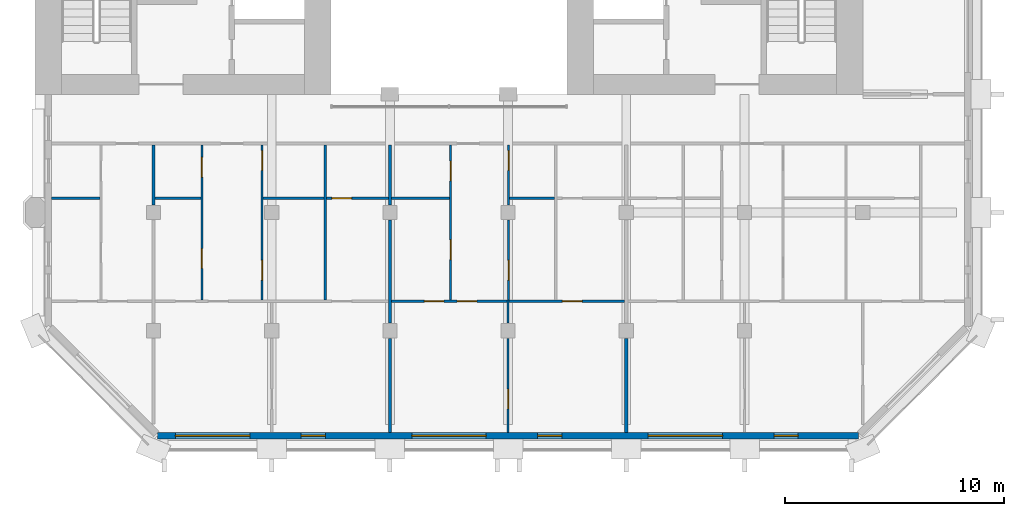
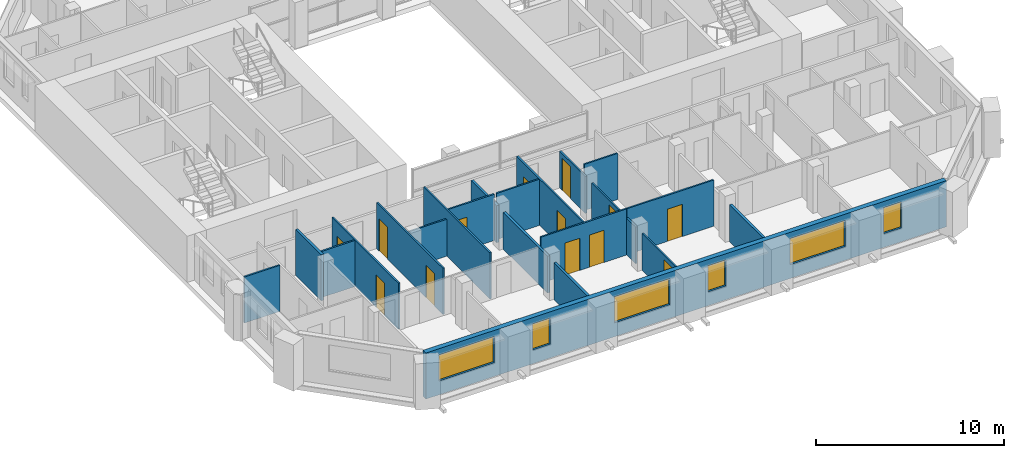
# One storey, part 6 of 13: 22 walls, 13 doors, 6 windows, 19 openings.
"""IFC4 building model written with IfcOpenShell, lengths in metres."""

from ifc_helpers import new_model, si_unit, direction, frame, frame_2d, origin, place, context, subcontext, project, spatial, rectangle, extrude, material, layer, layer_set, type_object, element, fill, save


model = new_model("IFC4")

# Units and contexts
model_context = context("Model", 3, precision=1e-05, world=origin(), true_north=direction((0.0, 1.0)))
body_context = subcontext(model_context, "Body", "Model", "MODEL_VIEW")
ifc_project = project(units=[si_unit("LENGTHUNIT", "METRE"), si_unit("AREAUNIT", "SQUARE_METRE"), si_unit("VOLUMEUNIT", "CUBIC_METRE"), si_unit("PLANEANGLEUNIT", "RADIAN"), si_unit("MASSUNIT", "GRAM", prefix="KILO")], contexts=[model_context])

# Site, building, storey
site_placement = place(None, origin())
site = spatial("IfcSite", under=ifc_project, at=site_placement, CompositionType="ELEMENT")
building_placement = place(site_placement, origin())
building = spatial("IfcBuilding", under=site, at=building_placement, Name="Tabaq Tower and Sports Hall", CompositionType="ELEMENT")
storey_placement = place(building_placement, frame((0.0, 0.0, 271.89990234375)))
storey = spatial("IfcBuildingStorey", under=building, at=storey_placement, Name="L66", CompositionType="ELEMENT", Elevation=271.89990234375)

# Walls
ifc_material_1 = material(Name="Gypsum board on steel studs", Category="steel")
ifc_layer_1 = layer(ifc_material_1, 0.10009765625)
ifc_layer_set_1 = layer_set([ifc_layer_1], Name="Partition 100 Gypsum board")
wall_type_1 = type_object("IfcWallType", Name="Partition 100 Gypsum board", PredefinedType="PARTITIONING", material=ifc_layer_set_1)
wall_1_placement = place(storey_placement, frame((8.35009765625, 11.449951171875, 0.0), z_axis=(0.0, 0.0, 1.0), x_axis=(-1.0, 0.0, 0.0)))
element("IfcWall", 1, at=wall_1_placement, inside=storey, type_object=wall_type_1, Name="Partition wall L66", PredefinedType="PARTITIONING", context=body_context, shape_type="SweptSolid", body=[
    extrude(rectangle(XDim=2.19921875, YDim=0.10009765625, at=frame_2d((1.099609375, 0.0))), origin(), (0.0, 0.0, 1.0), 3.0),
])
wall_2_placement = place(storey_placement, frame((12.9619140625, 11.449951171875, 0.0), z_axis=(0.0, 0.0, 1.0), x_axis=(-1.0, 0.0, 0.0)))
element("IfcWall", 2, at=wall_2_placement, inside=storey, type_object=wall_type_1, Name="Partition wall L66", PredefinedType="PARTITIONING", context=body_context, shape_type="SweptSolid", body=[
    extrude(rectangle(XDim=2.0869140625, YDim=0.10009765625, at=frame_2d((1.04345703125, 0.0))), origin(), (0.0, 0.0, 1.0), 3.0),
])

# Wall, openings, doors
wall_3_placement = place(storey_placement, frame((13.011962890625, 6.800048828125, 0.0), z_axis=(0.0, 0.0, 1.0), x_axis=(0.0, 1.0, 0.0)))
wall_3 = element("IfcWall", 3, at=wall_3_placement, inside=storey, type_object=wall_type_1, Name="Partition wall L66", PredefinedType="PARTITIONING", context=body_context, shape_type="SweptSolid", body=[
    extrude(rectangle(XDim=7.074951171875, YDim=0.10009765625, at=frame_2d((3.53759765625, 0.0))), origin(), (0.0, 0.0, 1.0), 3.0),
])
opening_1_placement = place(wall_3_placement, frame((5.616943359375, 0.0, 0.0)))
opening_1 = element("IfcOpeningElement", 4, at=opening_1_placement, cuts=wall_3, Name="Opening L66-015", PredefinedType="OPENING", context=body_context, shape_type="SweptSolid", body=[
    extrude(rectangle(XDim=0.89990234375, YDim=2.10009765625, at=frame_2d((0.449951171875, 1.050048828125))), frame((0.0, 0.050048828125, 0.0), z_axis=(0.0, -1.0, 0.0), x_axis=(1.0, 0.0, 0.0)), (0.0, 0.0, 1.0), 0.10009765625),
])
opening_2_placement = place(wall_3_placement, frame((1.449951171875, 0.0, 0.0)))
opening_2 = element("IfcOpeningElement", 5, at=opening_2_placement, cuts=wall_3, Name="Opening L66-042", PredefinedType="OPENING", context=body_context, shape_type="SweptSolid", body=[
    extrude(rectangle(XDim=0.89990234375, YDim=2.10009765625, at=frame_2d((0.449951171875, 1.050048828125))), frame((0.0, 0.050048828125, 0.0), z_axis=(0.0, -1.0, 0.0), x_axis=(1.0, 0.0, 0.0)), (0.0, 0.0, 1.0), 0.10009765625),
])
ifc_material_2 = material(Name="Timber leaf in steel frame", Category="steel")
door_type_1 = type_object("IfcDoorType", Name="Internal door 900 left hand", OperationType="SINGLE_SWING_LEFT", PredefinedType="DOOR", material=ifc_material_2)
door_1_placement = place(opening_1_placement, origin())
door_1 = element("IfcDoor", 6, at=door_1_placement, inside=storey, type_object=door_type_1, Name="Internal door L66-015", OperationType="SINGLE_SWING_LEFT", OverallHeight=2.10009765625, OverallWidth=0.89990234375, PredefinedType="DOOR", context=body_context, shape_type="SweptSolid", body=[
    extrude(rectangle(XDim=0.89990234375, YDim=2.10009765625, at=frame_2d((0.449951171875, 1.050048828125))), frame((0.0, 0.02490234375, 0.0), z_axis=(0.0, -1.0, 0.0), x_axis=(1.0, 0.0, 0.0)), (0.0, 0.0, 1.0), 0.050048828125),
])
fill(opening_1, door_1)
ifc_material_3 = material(Name="Timber leaf in steel frame", Category="steel")
door_type_2 = type_object("IfcDoorType", Name="Internal door 900 right hand", OperationType="SINGLE_SWING_RIGHT", PredefinedType="DOOR", material=ifc_material_3)
door_2_placement = place(opening_2_placement, origin())
door_2 = element("IfcDoor", 7, at=door_2_placement, inside=storey, type_object=door_type_2, Name="Internal door L66-042", OperationType="SINGLE_SWING_RIGHT", OverallHeight=2.10009765625, OverallWidth=0.89990234375, PredefinedType="DOOR", context=body_context, shape_type="SweptSolid", body=[
    extrude(rectangle(XDim=0.89990234375, YDim=2.10009765625, at=frame_2d((0.449951171875, 1.050048828125))), frame((0.0, 0.02490234375, 0.0), z_axis=(0.0, -1.0, 0.0), x_axis=(1.0, 0.0, 0.0)), (0.0, 0.0, 1.0), 0.050048828125),
])
fill(opening_2, door_2)

wall_4_placement = place(storey_placement, frame((15.761962890625, 6.800048828125, 0.0), z_axis=(0.0, 0.0, 1.0), x_axis=(0.0, 1.0, 0.0)))
wall_4 = element("IfcWall", 8, at=wall_4_placement, inside=storey, type_object=wall_type_1, Name="Partition wall L66", PredefinedType="PARTITIONING", context=body_context, shape_type="SweptSolid", body=[
    extrude(rectangle(XDim=7.074951171875, YDim=0.10009765625, at=frame_2d((3.53759765625, 0.0))), origin(), (0.0, 0.0, 1.0), 3.0),
])
opening_3_placement = place(wall_4_placement, frame((0.9169921875, 0.0, 0.0)))
opening_3 = element("IfcOpeningElement", 9, at=opening_3_placement, cuts=wall_4, Name="Opening L66-016", PredefinedType="OPENING", context=body_context, shape_type="SweptSolid", body=[
    extrude(rectangle(XDim=0.89990234375, YDim=2.10009765625, at=frame_2d((0.449951171875, 1.050048828125))), frame((0.0, 0.050048828125, 0.0), z_axis=(0.0, -1.0, 0.0), x_axis=(1.0, 0.0, 0.0)), (0.0, 0.0, 1.0), 0.10009765625),
])
opening_4_placement = place(wall_4_placement, frame((5.925048828125, 0.0, 0.0)))
opening_4 = element("IfcOpeningElement", 10, at=opening_4_placement, cuts=wall_4, Name="Opening L66-017", PredefinedType="OPENING", context=body_context, shape_type="SweptSolid", body=[
    extrude(rectangle(XDim=0.89990234375, YDim=2.10009765625, at=frame_2d((0.449951171875, 1.050048828125))), frame((0.0, 0.050048828125, 0.0), z_axis=(0.0, -1.0, 0.0), x_axis=(1.0, 0.0, 0.0)), (0.0, 0.0, 1.0), 0.10009765625),
])
door_3_placement = place(opening_3_placement, origin())
door_3 = element("IfcDoor", 11, at=door_3_placement, inside=storey, type_object=door_type_2, Name="Internal door L66-016", OperationType="SINGLE_SWING_RIGHT", OverallHeight=2.10009765625, OverallWidth=0.89990234375, PredefinedType="DOOR", context=body_context, shape_type="SweptSolid", body=[
    extrude(rectangle(XDim=0.89990234375, YDim=2.10009765625, at=frame_2d((0.449951171875, 1.050048828125))), frame((0.0, 0.02490234375, 0.0), z_axis=(0.0, -1.0, 0.0), x_axis=(1.0, 0.0, 0.0)), (0.0, 0.0, 1.0), 0.050048828125),
])
fill(opening_3, door_3)
door_4_placement = place(opening_4_placement, origin())
door_4 = element("IfcDoor", 12, at=door_4_placement, inside=storey, type_object=door_type_2, Name="Internal door L66-017", OperationType="SINGLE_SWING_RIGHT", OverallHeight=2.10009765625, OverallWidth=0.89990234375, PredefinedType="DOOR", context=body_context, shape_type="SweptSolid", body=[
    extrude(rectangle(XDim=0.89990234375, YDim=2.10009765625, at=frame_2d((0.449951171875, 1.050048828125))), frame((0.0, 0.02490234375, 0.0), z_axis=(0.0, -1.0, 0.0), x_axis=(1.0, 0.0, 0.0)), (0.0, 0.0, 1.0), 0.050048828125),
])
fill(opening_4, door_4)

# Walls
wall_5_placement = place(storey_placement, frame((18.60009765625, 11.449951171875, 0.0), z_axis=(0.0, 0.0, 1.0), x_axis=(-1.0, 0.0, 0.0)))
element("IfcWall", 13, at=wall_5_placement, inside=storey, type_object=wall_type_1, Name="Partition wall L66", PredefinedType="PARTITIONING", context=body_context, shape_type="SweptSolid", body=[
    extrude(rectangle(XDim=2.7880859375, YDim=0.10009765625, at=frame_2d((1.39404296875, 0.0))), origin(), (0.0, 0.0, 1.0), 2.400146484375),
])
wall_6_placement = place(storey_placement, frame((18.64990234375, 6.800048828125, 0.0), z_axis=(0.0, 0.0, 1.0), x_axis=(0.0, 1.0, 0.0)))
element("IfcWall", 14, at=wall_6_placement, inside=storey, type_object=wall_type_1, Name="Partition wall L66", PredefinedType="PARTITIONING", context=body_context, shape_type="SweptSolid", body=[
    extrude(rectangle(XDim=7.074951171875, YDim=0.10009765625, at=frame_2d((3.53759765625, 0.0))), origin(), (0.0, 0.0, 1.0), 3.0),
])

# Wall, opening, door
wall_7_placement = place(storey_placement, frame((21.52490234375, 11.449951171875, 0.0), z_axis=(0.0, 0.0, 1.0), x_axis=(-1.0, 0.0, 0.0)))
wall_7 = element("IfcWall", 15, at=wall_7_placement, inside=storey, type_object=wall_type_1, Name="Partition wall L66", PredefinedType="PARTITIONING", context=body_context, shape_type="SweptSolid", body=[
    extrude(rectangle(XDim=2.824951171875, YDim=0.10009765625, at=frame_2d((1.41259765625, 0.0))), origin(), (0.0, 0.0, 1.0), 3.0),
])
opening_5_placement = place(wall_7_placement, frame((1.675048828125, 0.0, 0.0)))
opening_5 = element("IfcOpeningElement", 16, at=opening_5_placement, cuts=wall_7, Name="Opening L66-018", PredefinedType="OPENING", context=body_context, shape_type="SweptSolid", body=[
    extrude(rectangle(XDim=0.89990234375, YDim=2.10009765625, at=frame_2d((0.449951171875, 1.050048828125))), frame((0.0, 0.050048828125, 0.0), z_axis=(0.0, -1.0, 0.0), x_axis=(1.0, 0.0, 0.0)), (0.0, 0.0, 1.0), 0.10009765625),
])
door_5_placement = place(opening_5_placement, origin())
door_5 = element("IfcDoor", 17, at=door_5_placement, inside=storey, type_object=door_type_2, Name="Internal door L66-018", OperationType="SINGLE_SWING_RIGHT", OverallHeight=2.10009765625, OverallWidth=0.89990234375, PredefinedType="DOOR", context=body_context, shape_type="SweptSolid", body=[
    extrude(rectangle(XDim=0.89990234375, YDim=2.10009765625, at=frame_2d((0.449951171875, 1.050048828125))), frame((0.0, 0.02490234375, 0.0), z_axis=(0.0, -1.0, 0.0), x_axis=(1.0, 0.0, 0.0)), (0.0, 0.0, 1.0), 0.050048828125),
])
fill(opening_5, door_5)

wall_8_placement = place(storey_placement, frame((27.0, 0.7509765625, 0.0), z_axis=(0.0, 0.0, 1.0), x_axis=(0.0, 1.0, 0.0)))
wall_8 = element("IfcWall", 18, at=wall_8_placement, inside=storey, type_object=wall_type_1, Name="Partition wall L66", PredefinedType="PARTITIONING", context=body_context, shape_type="SweptSolid", body=[
    extrude(rectangle(XDim=4.303955078125, YDim=0.10009765625, at=frame_2d((2.15185546875, 0.0))), origin(), (0.0, 0.0, 1.0), 2.400146484375),
])
opening_6_placement = place(wall_8_placement, frame((1.080078125, 0.0, 0.0)))
opening_6 = element("IfcOpeningElement", 19, at=opening_6_placement, cuts=wall_8, Name="Opening L66-043", PredefinedType="OPENING", context=body_context, shape_type="SweptSolid", body=[
    extrude(rectangle(XDim=0.89990234375, YDim=2.10009765625, at=frame_2d((0.449951171875, 1.050048828125))), frame((0.0, 0.050048828125, 0.0), z_axis=(0.0, -1.0, 0.0), x_axis=(1.0, 0.0, 0.0)), (0.0, 0.0, 1.0), 0.10009765625),
])
door_6_placement = place(opening_6_placement, origin())
door_6 = element("IfcDoor", 20, at=door_6_placement, inside=storey, type_object=door_type_2, Name="Internal door L66-043", OperationType="SINGLE_SWING_RIGHT", OverallHeight=2.10009765625, OverallWidth=0.89990234375, PredefinedType="DOOR", context=body_context, shape_type="SweptSolid", body=[
    extrude(rectangle(XDim=0.89990234375, YDim=2.10009765625, at=frame_2d((0.449951171875, 1.050048828125))), frame((0.0, 0.02490234375, 0.0), z_axis=(0.0, -1.0, 0.0), x_axis=(1.0, 0.0, 0.0)), (0.0, 0.0, 1.0), 0.050048828125),
])
fill(opening_6, door_6)

# Wall
wall_9_placement = place(storey_placement, frame((27.0, 5.7451171875, 0.0), z_axis=(0.0, 0.0, 1.0), x_axis=(0.0, 1.0, 0.0)))
element("IfcWall", 21, at=wall_9_placement, inside=storey, type_object=wall_type_1, Name="Partition wall L66", PredefinedType="PARTITIONING", context=body_context, shape_type="SweptSolid", body=[
    extrude(rectangle(XDim=1.054931640625, YDim=0.10009765625, at=frame_2d((0.52734375, 0.0))), origin(), (0.0, 0.0, 1.0), 2.400146484375),
])

# Wall, openings, doors
wall_10_placement = place(storey_placement, frame((26.949951171875, 6.75, 0.0), z_axis=(0.0, 0.0, 1.0), x_axis=(-1.0, 0.0, 0.0)))
wall_10 = element("IfcWall", 22, at=wall_10_placement, inside=storey, type_object=wall_type_1, Name="Partition wall L66", PredefinedType="PARTITIONING", context=body_context, shape_type="SweptSolid", body=[
    extrude(rectangle(XDim=5.27490234375, YDim=0.10009765625, at=frame_2d((2.637451171875, 0.0))), origin(), (0.0, 0.0, 1.0), 3.0),
])
opening_7_placement = place(wall_10_placement, frame((2.8798828125, 0.0, 0.0)))
opening_7 = element("IfcOpeningElement", 23, at=opening_7_placement, cuts=wall_10, Name="Opening L66-044", PredefinedType="OPENING", context=body_context, shape_type="SweptSolid", body=[
    extrude(rectangle(XDim=0.89990234375, YDim=2.10009765625, at=frame_2d((0.449951171875, 1.050048828125))), frame((0.0, 0.050048828125, 0.0), z_axis=(0.0, -1.0, 0.0), x_axis=(1.0, 0.0, 0.0)), (0.0, 0.0, 1.0), 0.10009765625),
])
opening_8_placement = place(wall_10_placement, frame((1.3798828125, 0.0, 0.0)))
opening_8 = element("IfcOpeningElement", 24, at=opening_8_placement, cuts=wall_10, Name="Opening L66-056", PredefinedType="OPENING", context=body_context, shape_type="SweptSolid", body=[
    extrude(rectangle(XDim=0.89990234375, YDim=2.10009765625, at=frame_2d((0.449951171875, 1.050048828125))), frame((0.0, 0.050048828125, 0.0), z_axis=(0.0, -1.0, 0.0), x_axis=(1.0, 0.0, 0.0)), (0.0, 0.0, 1.0), 0.10009765625),
])
door_7_placement = place(opening_8_placement, origin())
door_7 = element("IfcDoor", 25, at=door_7_placement, inside=storey, type_object=door_type_1, Name="Internal door L66-056", OperationType="SINGLE_SWING_LEFT", OverallHeight=2.10009765625, OverallWidth=0.89990234375, PredefinedType="DOOR", context=body_context, shape_type="SweptSolid", body=[
    extrude(rectangle(XDim=0.89990234375, YDim=2.10009765625, at=frame_2d((0.449951171875, 1.050048828125))), frame((0.0, 0.02490234375, 0.0), z_axis=(0.0, -1.0, 0.0), x_axis=(1.0, 0.0, 0.0)), (0.0, 0.0, 1.0), 0.050048828125),
])
fill(opening_8, door_7)
door_8_placement = place(opening_7_placement, origin())
door_8 = element("IfcDoor", 26, at=door_8_placement, inside=storey, type_object=door_type_2, Name="Internal door L66-044", OperationType="SINGLE_SWING_RIGHT", OverallHeight=2.10009765625, OverallWidth=0.89990234375, PredefinedType="DOOR", context=body_context, shape_type="SweptSolid", body=[
    extrude(rectangle(XDim=0.89990234375, YDim=2.10009765625, at=frame_2d((0.449951171875, 1.050048828125))), frame((0.0, 0.02490234375, 0.0), z_axis=(0.0, -1.0, 0.0), x_axis=(1.0, 0.0, 0.0)), (0.0, 0.0, 1.0), 0.050048828125),
])
fill(opening_7, door_8)

# Wall, opening, door
wall_11_placement = place(storey_placement, frame((32.324951171875, 6.75, 0.0), z_axis=(0.0, 0.0, 1.0), x_axis=(-1.0, 0.0, 0.0)))
wall_11 = element("IfcWall", 27, at=wall_11_placement, inside=storey, type_object=wall_type_1, Name="Partition wall L66", PredefinedType="PARTITIONING", context=body_context, shape_type="SweptSolid", body=[
    extrude(rectangle(XDim=5.35498046875, YDim=0.10009765625, at=frame_2d((2.677490234375, 0.0))), origin(), (0.0, 0.0, 1.0), 3.0),
])
opening_9_placement = place(wall_11_placement, frame((1.948974609375, 0.0, 0.0)))
opening_9 = element("IfcOpeningElement", 28, at=opening_9_placement, cuts=wall_11, Name="Opening L66-045", PredefinedType="OPENING", context=body_context, shape_type="SweptSolid", body=[
    extrude(rectangle(XDim=0.89990234375, YDim=2.10009765625, at=frame_2d((0.449951171875, 1.050048828125))), frame((0.0, 0.050048828125, 0.0), z_axis=(0.0, -1.0, 0.0), x_axis=(1.0, 0.0, 0.0)), (0.0, 0.0, 1.0), 0.10009765625),
])
door_9_placement = place(opening_9_placement, origin())
door_9 = element("IfcDoor", 29, at=door_9_placement, inside=storey, type_object=door_type_1, Name="Internal door L66-045", OperationType="SINGLE_SWING_LEFT", OverallHeight=2.10009765625, OverallWidth=0.89990234375, PredefinedType="DOOR", context=body_context, shape_type="SweptSolid", body=[
    extrude(rectangle(XDim=0.89990234375, YDim=2.10009765625, at=frame_2d((0.449951171875, 1.050048828125))), frame((0.0, 0.02490234375, 0.0), z_axis=(0.0, -1.0, 0.0), x_axis=(1.0, 0.0, 0.0)), (0.0, 0.0, 1.0), 0.050048828125),
])
fill(opening_9, door_9)

# Wall
wall_12_placement = place(storey_placement, frame((24.320068359375, 11.449951171875, 0.0), z_axis=(0.0, 0.0, 1.0), x_axis=(-1.0, 0.0, 0.0)))
element("IfcWall", 30, at=wall_12_placement, inside=storey, type_object=wall_type_1, Name="Partition wall L66", PredefinedType="PARTITIONING", context=body_context, shape_type="SweptSolid", body=[
    extrude(rectangle(XDim=2.64501953125, YDim=0.10009765625, at=frame_2d((1.322509765625, 0.0))), origin(), (0.0, 0.0, 1.0), 3.0),
])

# Wall, openings, doors
wall_13_placement = place(storey_placement, frame((24.3701171875, 6.800048828125, 0.0), z_axis=(0.0, 0.0, 1.0), x_axis=(0.0, 1.0, 0.0)))
wall_13 = element("IfcWall", 31, at=wall_13_placement, inside=storey, type_object=wall_type_1, Name="Partition wall L66", PredefinedType="PARTITIONING", context=body_context, shape_type="SweptSolid", body=[
    extrude(rectangle(XDim=7.074951171875, YDim=0.10009765625, at=frame_2d((3.53759765625, 0.0))), origin(), (0.0, 0.0, 1.0), 3.0),
])
opening_10_placement = place(wall_13_placement, frame((5.449951171875, 0.0, 0.0)))
opening_10 = element("IfcOpeningElement", 32, at=opening_10_placement, cuts=wall_13, Name="Opening L66-019", PredefinedType="OPENING", context=body_context, shape_type="SweptSolid", body=[
    extrude(rectangle(XDim=0.89990234375, YDim=2.10009765625, at=frame_2d((0.449951171875, 1.050048828125))), frame((0.0, 0.050048828125, 0.0), z_axis=(0.0, -1.0, 0.0), x_axis=(1.0, 0.0, 0.0)), (0.0, 0.0, 1.0), 0.10009765625),
])
opening_11_placement = place(wall_13_placement, frame((1.85009765625, 0.0, 0.0)))
opening_11 = element("IfcOpeningElement", 33, at=opening_11_placement, cuts=wall_13, Name="Opening L66-046", PredefinedType="OPENING", context=body_context, shape_type="SweptSolid", body=[
    extrude(rectangle(XDim=0.89990234375, YDim=2.10009765625, at=frame_2d((0.449951171875, 1.050048828125))), frame((0.0, 0.050048828125, 0.0), z_axis=(0.0, -1.0, 0.0), x_axis=(1.0, 0.0, 0.0)), (0.0, 0.0, 1.0), 0.10009765625),
])
door_10_placement = place(opening_11_placement, origin())
door_10 = element("IfcDoor", 34, at=door_10_placement, inside=storey, type_object=door_type_1, Name="Internal door L66-046", OperationType="SINGLE_SWING_LEFT", OverallHeight=2.10009765625, OverallWidth=0.89990234375, PredefinedType="DOOR", context=body_context, shape_type="SweptSolid", body=[
    extrude(rectangle(XDim=0.89990234375, YDim=2.10009765625, at=frame_2d((0.449951171875, 1.050048828125))), frame((0.0, 0.02490234375, 0.0), z_axis=(0.0, -1.0, 0.0), x_axis=(1.0, 0.0, 0.0)), (0.0, 0.0, 1.0), 0.050048828125),
])
fill(opening_11, door_10)
door_11_placement = place(opening_10_placement, origin())
door_11 = element("IfcDoor", 35, at=door_11_placement, inside=storey, type_object=door_type_2, Name="Internal door L66-019", OperationType="SINGLE_SWING_RIGHT", OverallHeight=2.10009765625, OverallWidth=0.89990234375, PredefinedType="DOOR", context=body_context, shape_type="SweptSolid", body=[
    extrude(rectangle(XDim=0.89990234375, YDim=2.10009765625, at=frame_2d((0.449951171875, 1.050048828125))), frame((0.0, 0.02490234375, 0.0), z_axis=(0.0, -1.0, 0.0), x_axis=(1.0, 0.0, 0.0)), (0.0, 0.0, 1.0), 0.050048828125),
])
fill(opening_10, door_11)

# Wall, opening, door
wall_14_placement = place(storey_placement, frame((27.02001953125, 6.800048828125, 0.0), z_axis=(0.0, 0.0, 1.0), x_axis=(0.0, 1.0, 0.0)))
wall_14 = element("IfcWall", 36, at=wall_14_placement, inside=storey, type_object=wall_type_1, Name="Partition wall L66", PredefinedType="PARTITIONING", context=body_context, shape_type="SweptSolid", body=[
    extrude(rectangle(XDim=3.655029296875, YDim=0.10009765625, at=frame_2d((1.82763671875, 0.0))), origin(), (0.0, 0.0, 1.0), 2.400146484375),
])
opening_12_placement = place(wall_14_placement, frame((0.9169921875, 0.0, 0.0)))
opening_12 = element("IfcOpeningElement", 37, at=opening_12_placement, cuts=wall_14, Name="Opening L66-020", PredefinedType="OPENING", context=body_context, shape_type="SweptSolid", body=[
    extrude(rectangle(XDim=0.89990234375, YDim=2.10009765625, at=frame_2d((0.449951171875, 1.050048828125))), frame((0.0, 0.050048828125, 0.0), z_axis=(0.0, -1.0, 0.0), x_axis=(1.0, 0.0, 0.0)), (0.0, 0.0, 1.0), 0.10009765625),
])
door_12_placement = place(opening_12_placement, origin())
door_12 = element("IfcDoor", 38, at=door_12_placement, inside=storey, type_object=door_type_1, Name="Internal door L66-020", OperationType="SINGLE_SWING_LEFT", OverallHeight=2.10009765625, OverallWidth=0.89990234375, PredefinedType="DOOR", context=body_context, shape_type="SweptSolid", body=[
    extrude(rectangle(XDim=0.89990234375, YDim=2.10009765625, at=frame_2d((0.449951171875, 1.050048828125))), frame((0.0, 0.02490234375, 0.0), z_axis=(0.0, -1.0, 0.0), x_axis=(1.0, 0.0, 0.0)), (0.0, 0.0, 1.0), 0.050048828125),
])
fill(opening_12, door_12)

wall_15_placement = place(storey_placement, frame((27.02001953125, 11.14501953125, 0.0), z_axis=(0.0, 0.0, 1.0), x_axis=(0.0, 1.0, 0.0)))
wall_15 = element("IfcWall", 39, at=wall_15_placement, inside=storey, type_object=wall_type_1, Name="Partition wall L66", PredefinedType="PARTITIONING", context=body_context, shape_type="SweptSolid", body=[
    extrude(rectangle(XDim=2.72998046875, YDim=0.10009765625, at=frame_2d((1.364990234375, 0.0))), origin(), (0.0, 0.0, 1.0), 2.400146484375),
])
opening_13_placement = place(wall_15_placement, frame((1.580078125, 0.0, 0.0)))
opening_13 = element("IfcOpeningElement", 40, at=opening_13_placement, cuts=wall_15, Name="Opening L66-021", PredefinedType="OPENING", context=body_context, shape_type="SweptSolid", body=[
    extrude(rectangle(XDim=0.89990234375, YDim=2.10009765625, at=frame_2d((0.449951171875, 1.050048828125))), frame((0.0, 0.050048828125, 0.0), z_axis=(0.0, -1.0, 0.0), x_axis=(1.0, 0.0, 0.0)), (0.0, 0.0, 1.0), 0.10009765625),
])
door_13_placement = place(opening_13_placement, origin())
door_13 = element("IfcDoor", 41, at=door_13_placement, inside=storey, type_object=door_type_1, Name="Internal door L66-021", OperationType="SINGLE_SWING_LEFT", OverallHeight=2.10009765625, OverallWidth=0.89990234375, PredefinedType="DOOR", context=body_context, shape_type="SweptSolid", body=[
    extrude(rectangle(XDim=0.89990234375, YDim=2.10009765625, at=frame_2d((0.449951171875, 1.050048828125))), frame((0.0, 0.02490234375, 0.0), z_axis=(0.0, -1.0, 0.0), x_axis=(1.0, 0.0, 0.0)), (0.0, 0.0, 1.0), 0.050048828125),
])
fill(opening_13, door_13)

# Walls
wall_16_placement = place(storey_placement, frame((29.1259765625, 11.449951171875, 0.0), z_axis=(0.0, 0.0, 1.0), x_axis=(-1.0, 0.0, 0.0)))
element("IfcWall", 42, at=wall_16_placement, inside=storey, type_object=wall_type_1, Name="Partition wall L66", PredefinedType="PARTITIONING", context=body_context, shape_type="SweptSolid", body=[
    extrude(rectangle(XDim=2.055908203125, YDim=0.10009765625, at=frame_2d((1.02783203125, 0.0))), origin(), (0.0, 0.0, 1.0), 3.0),
])
ifc_material_4 = material(Name="Blockwork", Category="masonry")
ifc_layer_2 = layer(ifc_material_4, 0.14990234375)
ifc_layer_set_2 = layer_set([ifc_layer_2], Name="Separating wall 150 Blockwork")
wall_type_2 = type_object("IfcWallType", Name="Separating wall 150 Blockwork", PredefinedType="PARTITIONING", material=ifc_layer_set_2)
wall_17_placement = place(storey_placement, frame((10.800048828125, 11.14501953125, 0.0), z_axis=(0.0, 0.0, 1.0), x_axis=(0.0, 1.0, 0.0)))
element("IfcWall", 43, at=wall_17_placement, inside=storey, type_object=wall_type_2, Name="Separating wall L66", PredefinedType="PARTITIONING", context=body_context, shape_type="SweptSolid", body=[
    extrude(rectangle(XDim=2.72998046875, YDim=0.14990234375, at=frame_2d((1.364990234375, 0.0))), origin(), (0.0, 0.0, 1.0), 3.0),
])
wall_18_placement = place(storey_placement, frame((21.60009765625, 0.7509765625, 0.0), z_axis=(0.0, 0.0, 1.0), x_axis=(0.0, 1.0, 0.0)))
element("IfcWall", 44, at=wall_18_placement, inside=storey, type_object=wall_type_2, Name="Separating wall L66", PredefinedType="PARTITIONING", context=body_context, shape_type="SweptSolid", body=[
    extrude(rectangle(XDim=4.303955078125, YDim=0.14990234375, at=frame_2d((2.15185546875, 0.0))), origin(), (0.0, 0.0, 1.0), 2.400146484375),
])
wall_19_placement = place(storey_placement, frame((21.60009765625, 5.7451171875, 0.0), z_axis=(0.0, 0.0, 1.0), x_axis=(0.0, 1.0, 0.0)))
element("IfcWall", 45, at=wall_19_placement, inside=storey, type_object=wall_type_2, Name="Separating wall L66", PredefinedType="PARTITIONING", context=body_context, shape_type="SweptSolid", body=[
    extrude(rectangle(XDim=4.7099609375, YDim=0.14990234375, at=frame_2d((2.35498046875, 0.0))), origin(), (0.0, 0.0, 1.0), 2.400146484375),
])
wall_20_placement = place(storey_placement, frame((21.60009765625, 11.14501953125, 0.0), z_axis=(0.0, 0.0, 1.0), x_axis=(0.0, 1.0, 0.0)))
element("IfcWall", 46, at=wall_20_placement, inside=storey, type_object=wall_type_2, Name="Separating wall L66", PredefinedType="PARTITIONING", context=body_context, shape_type="SweptSolid", body=[
    extrude(rectangle(XDim=2.72998046875, YDim=0.14990234375, at=frame_2d((1.364990234375, 0.0))), origin(), (0.0, 0.0, 1.0), 2.400146484375),
])
wall_21_placement = place(storey_placement, frame((32.39990234375, 0.7509765625, 0.0), z_axis=(0.0, 0.0, 1.0), x_axis=(0.0, 1.0, 0.0)))
element("IfcWall", 47, at=wall_21_placement, inside=storey, type_object=wall_type_2, Name="Separating wall L66", PredefinedType="PARTITIONING", context=body_context, shape_type="SweptSolid", body=[
    extrude(rectangle(XDim=4.303955078125, YDim=0.14990234375, at=frame_2d((2.15185546875, 0.0))), origin(), (0.0, 0.0, 1.0), 2.400146484375),
])

# Wall, openings, windows
ifc_material_5 = material(Name="White precast concrete C60/75", Category="concrete")
ifc_layer_3 = layer(ifc_material_5, 0.300048828125)
ifc_layer_set_3 = layer_set([ifc_layer_3], Name="White precast concrete C60/75 external wall 300")
wall_type_3 = type_object("IfcWallType", Name="White precast concrete C60/75 external wall 300", PredefinedType="SOLIDWALL", material=ifc_layer_set_3)
wall_22_placement = place(storey_placement, frame((10.986328125, 0.60009765625, 0.0), z_axis=(0.0, 0.0, 1.0), x_axis=(1.0, 0.0, 0.0)))
wall_22 = element("IfcWall", 48, at=wall_22_placement, inside=storey, type_object=wall_type_3, Name="External Wall L66 S", PredefinedType="SOLIDWALL", context=body_context, shape_type="SweptSolid", body=[
    extrude(rectangle(XDim=32.02734375, YDim=0.300048828125, at=frame_2d((16.013671875, 0.0))), origin(), (0.0, 0.0, 1.0), 3.0),
])
opening_14_placement = place(wall_22_placement, frame((0.813720703125, 0.0, 0.89990234375)))
opening_14 = element("IfcOpeningElement", 49, at=opening_14_placement, cuts=wall_22, Name="Opening W1A", PredefinedType="OPENING", context=body_context, shape_type="SweptSolid", body=[
    extrude(rectangle(XDim=3.39990234375, YDim=1.699951171875, at=frame_2d((1.699951171875, 0.85009765625))), frame((0.0, 0.16015625, 0.0), z_axis=(0.0, -1.0, 0.0), x_axis=(1.0, 0.0, 0.0)), (0.0, 0.0, 1.0), 0.320068359375),
])
opening_15_placement = place(wall_22_placement, frame((6.563720703125, 0.0, 0.89990234375)))
opening_15 = element("IfcOpeningElement", 50, at=opening_15_placement, cuts=wall_22, Name="Opening W1B", PredefinedType="OPENING", context=body_context, shape_type="SweptSolid", body=[
    extrude(rectangle(XDim=1.10009765625, YDim=1.699951171875, at=frame_2d((0.550048828125, 0.85009765625))), frame((0.0, 0.16015625, 0.0), z_axis=(0.0, -1.0, 0.0), x_axis=(1.0, 0.0, 0.0)), (0.0, 0.0, 1.0), 0.320068359375),
])
opening_16_placement = place(wall_22_placement, frame((11.613525390625, 0.0, 0.89990234375)))
opening_16 = element("IfcOpeningElement", 51, at=opening_16_placement, cuts=wall_22, Name="Opening W1A", PredefinedType="OPENING", context=body_context, shape_type="SweptSolid", body=[
    extrude(rectangle(XDim=3.39990234375, YDim=1.699951171875, at=frame_2d((1.699951171875, 0.85009765625))), frame((0.0, 0.16015625, 0.0), z_axis=(0.0, -1.0, 0.0), x_axis=(1.0, 0.0, 0.0)), (0.0, 0.0, 1.0), 0.320068359375),
])
opening_17_placement = place(wall_22_placement, frame((17.363525390625, 0.0, 0.89990234375)))
opening_17 = element("IfcOpeningElement", 52, at=opening_17_placement, cuts=wall_22, Name="Opening W1B", PredefinedType="OPENING", context=body_context, shape_type="SweptSolid", body=[
    extrude(rectangle(XDim=1.10009765625, YDim=1.699951171875, at=frame_2d((0.550048828125, 0.85009765625))), frame((0.0, 0.16015625, 0.0), z_axis=(0.0, -1.0, 0.0), x_axis=(1.0, 0.0, 0.0)), (0.0, 0.0, 1.0), 0.320068359375),
])
opening_18_placement = place(wall_22_placement, frame((22.41357421875, 0.0, 0.89990234375)))
opening_18 = element("IfcOpeningElement", 53, at=opening_18_placement, cuts=wall_22, Name="Opening W1A", PredefinedType="OPENING", context=body_context, shape_type="SweptSolid", body=[
    extrude(rectangle(XDim=3.39990234375, YDim=1.699951171875, at=frame_2d((1.699951171875, 0.85009765625))), frame((0.0, 0.16015625, 0.0), z_axis=(0.0, -1.0, 0.0), x_axis=(1.0, 0.0, 0.0)), (0.0, 0.0, 1.0), 0.320068359375),
])
opening_19_placement = place(wall_22_placement, frame((28.16357421875, 0.0, 0.89990234375)))
opening_19 = element("IfcOpeningElement", 54, at=opening_19_placement, cuts=wall_22, Name="Opening W1B", PredefinedType="OPENING", context=body_context, shape_type="SweptSolid", body=[
    extrude(rectangle(XDim=1.10009765625, YDim=1.699951171875, at=frame_2d((0.550048828125, 0.85009765625))), frame((0.0, 0.16015625, 0.0), z_axis=(0.0, -1.0, 0.0), x_axis=(1.0, 0.0, 0.0)), (0.0, 0.0, 1.0), 0.320068359375),
])
ifc_material_6 = material(Name="Aluminium framed clear glazing", Category="aluminium")
window_type_1 = type_object("IfcWindowType", Name="Window W1A", PartitioningType="SINGLE_PANEL", PredefinedType="WINDOW", material=ifc_material_6)
window_1_placement = place(opening_14_placement, origin())
window_1 = element("IfcWindow", 55, at=window_1_placement, inside=storey, type_object=window_type_1, Name="Window W1A L66", OverallHeight=1.699951171875, OverallWidth=3.39990234375, PartitioningType="SINGLE_PANEL", PredefinedType="WINDOW", context=body_context, shape_type="SweptSolid", body=[
    extrude(rectangle(XDim=3.39990234375, YDim=1.699951171875, at=frame_2d((1.699951171875, 0.85009765625))), frame((0.0, 0.030029296875, 0.0), z_axis=(0.0, -1.0, 0.0), x_axis=(1.0, 0.0, 0.0)), (0.0, 0.0, 1.0), 0.06005859375),
])
fill(opening_14, window_1)
window_2_placement = place(opening_16_placement, origin())
window_2 = element("IfcWindow", 56, at=window_2_placement, inside=storey, type_object=window_type_1, Name="Window W1A L66", OverallHeight=1.699951171875, OverallWidth=3.39990234375, PartitioningType="SINGLE_PANEL", PredefinedType="WINDOW", context=body_context, shape_type="SweptSolid", body=[
    extrude(rectangle(XDim=3.39990234375, YDim=1.699951171875, at=frame_2d((1.699951171875, 0.85009765625))), frame((0.0, 0.030029296875, 0.0), z_axis=(0.0, -1.0, 0.0), x_axis=(1.0, 0.0, 0.0)), (0.0, 0.0, 1.0), 0.06005859375),
])
fill(opening_16, window_2)
window_3_placement = place(opening_18_placement, origin())
window_3 = element("IfcWindow", 57, at=window_3_placement, inside=storey, type_object=window_type_1, Name="Window W1A L66", OverallHeight=1.699951171875, OverallWidth=3.39990234375, PartitioningType="SINGLE_PANEL", PredefinedType="WINDOW", context=body_context, shape_type="SweptSolid", body=[
    extrude(rectangle(XDim=3.39990234375, YDim=1.699951171875, at=frame_2d((1.699951171875, 0.85009765625))), frame((0.0, 0.030029296875, 0.0), z_axis=(0.0, -1.0, 0.0), x_axis=(1.0, 0.0, 0.0)), (0.0, 0.0, 1.0), 0.06005859375),
])
fill(opening_18, window_3)
ifc_material_7 = material(Name="Aluminium framed clear glazing", Category="aluminium")
window_type_2 = type_object("IfcWindowType", Name="Window W1B", PartitioningType="SINGLE_PANEL", PredefinedType="WINDOW", material=ifc_material_7)
window_4_placement = place(opening_15_placement, origin())
window_4 = element("IfcWindow", 58, at=window_4_placement, inside=storey, type_object=window_type_2, Name="Window W1B L66", OverallHeight=1.699951171875, OverallWidth=1.10009765625, PartitioningType="SINGLE_PANEL", PredefinedType="WINDOW", context=body_context, shape_type="SweptSolid", body=[
    extrude(rectangle(XDim=1.10009765625, YDim=1.699951171875, at=frame_2d((0.550048828125, 0.85009765625))), frame((0.0, 0.030029296875, 0.0), z_axis=(0.0, -1.0, 0.0), x_axis=(1.0, 0.0, 0.0)), (0.0, 0.0, 1.0), 0.06005859375),
])
fill(opening_15, window_4)
window_5_placement = place(opening_17_placement, origin())
window_5 = element("IfcWindow", 59, at=window_5_placement, inside=storey, type_object=window_type_2, Name="Window W1B L66", OverallHeight=1.699951171875, OverallWidth=1.10009765625, PartitioningType="SINGLE_PANEL", PredefinedType="WINDOW", context=body_context, shape_type="SweptSolid", body=[
    extrude(rectangle(XDim=1.10009765625, YDim=1.699951171875, at=frame_2d((0.550048828125, 0.85009765625))), frame((0.0, 0.030029296875, 0.0), z_axis=(0.0, -1.0, 0.0), x_axis=(1.0, 0.0, 0.0)), (0.0, 0.0, 1.0), 0.06005859375),
])
fill(opening_17, window_5)
window_6_placement = place(opening_19_placement, origin())
window_6 = element("IfcWindow", 60, at=window_6_placement, inside=storey, type_object=window_type_2, Name="Window W1B L66", OverallHeight=1.699951171875, OverallWidth=1.10009765625, PartitioningType="SINGLE_PANEL", PredefinedType="WINDOW", context=body_context, shape_type="SweptSolid", body=[
    extrude(rectangle(XDim=1.10009765625, YDim=1.699951171875, at=frame_2d((0.550048828125, 0.85009765625))), frame((0.0, 0.030029296875, 0.0), z_axis=(0.0, -1.0, 0.0), x_axis=(1.0, 0.0, 0.0)), (0.0, 0.0, 1.0), 0.06005859375),
])
fill(opening_19, window_6)

save(model, "model.ifc")
